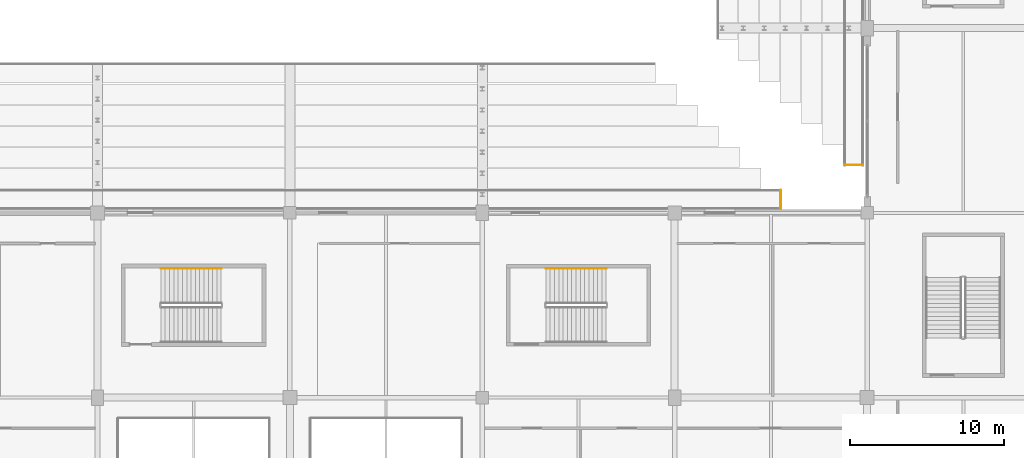
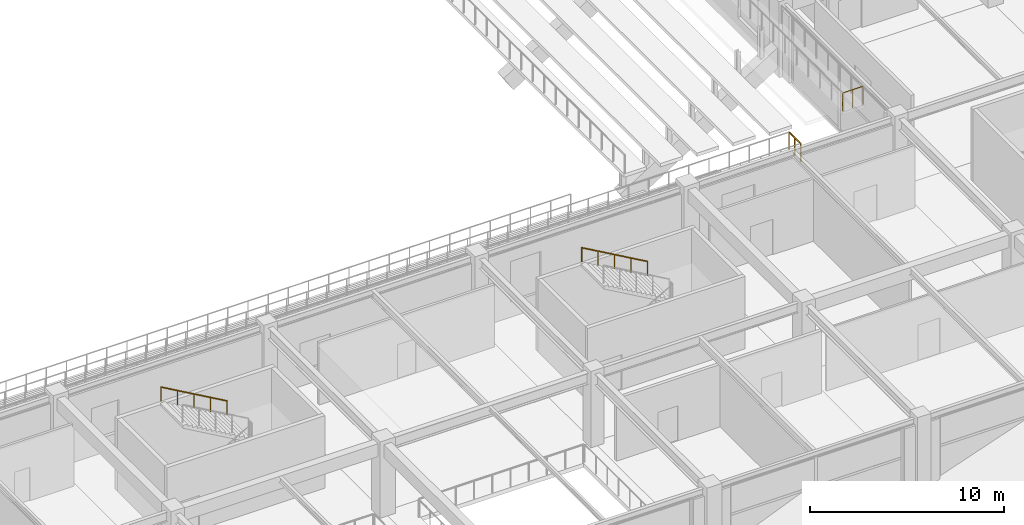
# One storey, part 116 of 134: 4 railings.
"""IFC4 building model written with IfcOpenShell, lengths in metres."""

from ifc_helpers import new_model, si_unit, direction, frame, origin, origin_2d, place, context, subcontext, project, spatial, circle, extrude, material, layer, layer_set, type_object, element, save


model = new_model("IFC4")

# Units and contexts
model_context = context("Model", 3, precision=1e-05, world=origin(), true_north=direction((0.0, 1.0)))
body_context = subcontext(model_context, "Body", "Model", "MODEL_VIEW")
ifc_project = project(units=[si_unit("LENGTHUNIT", "METRE"), si_unit("AREAUNIT", "SQUARE_METRE"), si_unit("VOLUMEUNIT", "CUBIC_METRE"), si_unit("PLANEANGLEUNIT", "RADIAN"), si_unit("MASSUNIT", "GRAM", prefix="KILO")], contexts=[model_context])

# Site, building, storey
site_placement = place(None, origin())
site = spatial("IfcSite", under=ifc_project, at=site_placement, CompositionType="ELEMENT")
building_placement = place(site_placement, origin())
building = spatial("IfcBuilding", under=site, at=building_placement, Name="Kazenohara Klinker Stadium", CompositionType="ELEMENT")
storey_placement = place(building_placement, frame((0.0, 0.0, 5.39990234375)))
storey = spatial("IfcBuildingStorey", under=building, at=storey_placement, Name="L01", CompositionType="ELEMENT", Elevation=5.39990234375)

# Railings
ifc_material_1 = material(Name="Galvanised powder-coated steel guardrail", Category="steel")
ifc_layer_1 = layer(ifc_material_1, 0.070068359375)
ifc_layer_set_1 = layer_set([ifc_layer_1], Name="Galvanised powder-coated steel guardrail")
railing_type_1 = type_object("IfcRailingType", Name="RL-GRD-1150", PredefinedType="GUARDRAIL", material=ifc_layer_set_1)
railing_1_placement = place(storey_placement, frame((173.528564453125, 39.111328125, 3.400146484375)))
element("IfcRailing", 1, at=railing_1_placement, inside=storey, type_object=railing_type_1, Name="Spectator stand sightline guardrail TIER-LOWER-E-01-S", PredefinedType="GUARDRAIL", context=body_context, shape_type="SweptSolid", body=[
    extrude(circle(Radius=0.02392578125, at=origin_2d()), frame((0.0, 0.0, 1.1259765625), z_axis=(1.0, 0.0, 0.0), x_axis=(0.0, 1.0, 0.0)), (0.0, 0.0, 1.0), 1.21142578125),
    extrude(circle(Radius=0.02099609375, at=origin_2d()), origin(), (0.0, 0.0, 1.0), 1.101806640625),
    extrude(circle(Radius=0.02099609375, at=origin_2d()), frame((0.605712890625, 0.0, 0.0)), (0.0, 0.0, 1.0), 1.101806640625),
    extrude(circle(Radius=0.02099609375, at=origin_2d()), frame((1.21142578125, 0.0, 0.0)), (0.0, 0.0, 1.0), 1.101806640625),
])
railing_2_placement = place(storey_placement, frame((169.388671875, 36.260009765625, 3.400146484375)))
element("IfcRailing", 2, at=railing_2_placement, inside=storey, type_object=railing_type_1, Name="Spectator stand sightline guardrail TIER-LOWER-S-01-E", PredefinedType="GUARDRAIL", context=body_context, shape_type="SweptSolid", body=[
    extrude(circle(Radius=0.02392578125, at=origin_2d()), frame((0.0, 0.0, 1.1259765625), z_axis=(0.0, 1.0, 0.0), x_axis=(-1.0, 0.0, 0.0)), (0.0, 0.0, 1.0), 1.21142578125),
    extrude(circle(Radius=0.02099609375, at=origin_2d()), origin(), (0.0, 0.0, 1.0), 1.101806640625),
    extrude(circle(Radius=0.02099609375, at=origin_2d()), frame((0.0, 0.605712890625, 0.0)), (0.0, 0.0, 1.0), 1.101806640625),
    extrude(circle(Radius=0.02099609375, at=origin_2d()), frame((0.0, 1.21142578125, 0.0)), (0.0, 0.0, 1.0), 1.101806640625),
])
ifc_material_2 = material(Name="Brushed stainless steel 304 handrail", Category="steel")
ifc_layer_2 = layer(ifc_material_2, 0.050048828125)
ifc_layer_set_2 = layer_set([ifc_layer_2], Name="Brushed stainless steel 304 handrail")
railing_type_2 = type_object("IfcRailingType", Name="RL-HND-900", PredefinedType="HANDRAIL", material=ifc_layer_set_2)
railing_3_placement = place(storey_placement, frame((133.0400390625, 32.3798828125, 2.56005859375)))
element("IfcRailing", 3, at=railing_3_placement, inside=storey, type_object=railing_type_2, Name="L01 ST27 stair handrail 2", PredefinedType="HANDRAIL", context=body_context, shape_type="SweptSolid", body=[
    extrude(circle(Radius=0.02392578125, at=origin_2d()), frame((0.0, 0.0, 0.8759765625), z_axis=(-0.868239814368, 0.0, 0.496144761885), x_axis=(0.0, -1.0, 0.0)), (0.0, 0.0, 1.0), 4.514892578125),
    extrude(circle(Radius=0.02099609375, at=origin_2d()), origin(), (0.0, 0.0, 1.0), 0.851806640625),
    extrude(circle(Radius=0.02099609375, at=origin_2d()), frame((-0.97998046875, 0.0, 0.56005859375)), (0.0, 0.0, 1.0), 0.851806640625),
    extrude(circle(Radius=0.02099609375, at=origin_2d()), frame((-1.9599609375, 0.0, 1.1201171875)), (0.0, 0.0, 1.0), 0.851806640625),
    extrude(circle(Radius=0.02099609375, at=origin_2d()), frame((-2.93994140625, 0.0, 1.679931640625)), (0.0, 0.0, 1.0), 0.851806640625),
    extrude(circle(Radius=0.02099609375, at=origin_2d()), frame((-3.919921875, 0.0, 2.239990234375)), (0.0, 0.0, 1.0), 0.851806640625),
])
railing_4_placement = place(storey_placement, frame((158.050048828125, 32.389892578125, 2.56005859375)))
element("IfcRailing", 4, at=railing_4_placement, inside=storey, type_object=railing_type_2, Name="L01 ST28 stair handrail 2", PredefinedType="HANDRAIL", context=body_context, shape_type="SweptSolid", body=[
    extrude(circle(Radius=0.02392578125, at=origin_2d()), frame((0.0, 0.0, 0.8759765625), z_axis=(-0.86825312469, 0.0, 0.496121468458), x_axis=(0.0, -1.0, 0.0)), (0.0, 0.0, 1.0), 4.514892578125),
    extrude(circle(Radius=0.02099609375, at=origin_2d()), origin(), (0.0, 0.0, 1.0), 0.851806640625),
    extrude(circle(Radius=0.02099609375, at=origin_2d()), frame((-0.97998046875, 0.0, 0.56005859375)), (0.0, 0.0, 1.0), 0.851806640625),
    extrude(circle(Radius=0.02099609375, at=origin_2d()), frame((-1.9599609375, 0.0, 1.1201171875)), (0.0, 0.0, 1.0), 0.851806640625),
    extrude(circle(Radius=0.02099609375, at=origin_2d()), frame((-2.940185546875, 0.0, 1.679931640625)), (0.0, 0.0, 1.0), 0.851806640625),
    extrude(circle(Radius=0.02099609375, at=origin_2d()), frame((-3.920166015625, 0.0, 2.239990234375)), (0.0, 0.0, 1.0), 0.851806640625),
])

save(model, "model.ifc")
